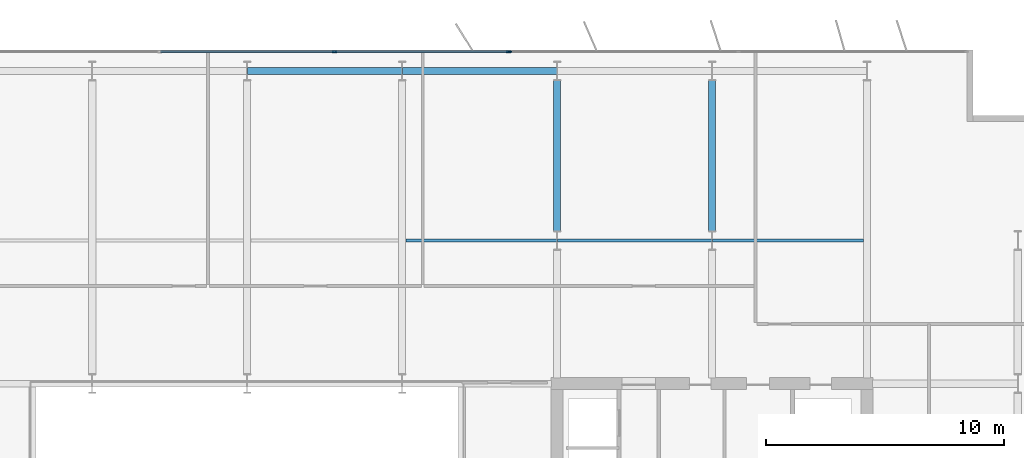
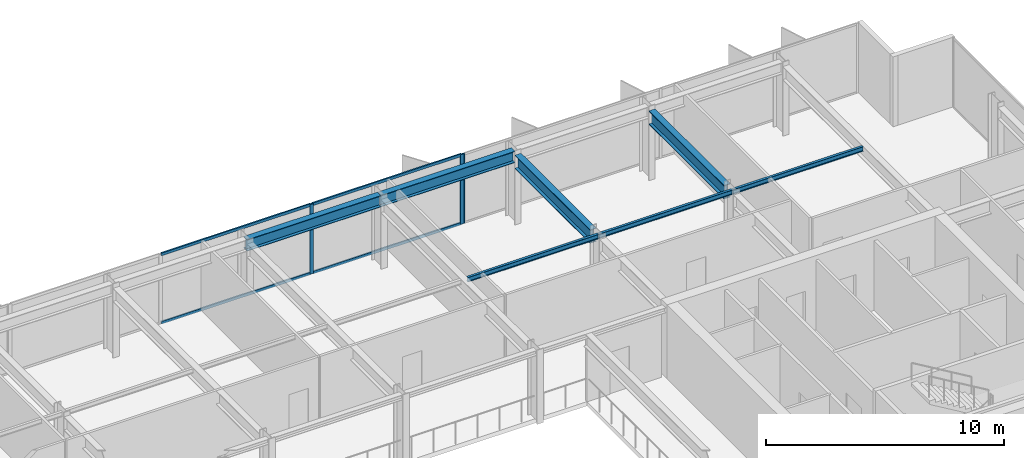
# One storey, part 12 of 24: 7 beams, 7 members, 2 elements without a shape of their own.
"""IFC4 building model written with IfcOpenShell, lengths in metres."""

from ifc_helpers import new_model, si_unit, direction, frame, origin, origin_2d, place, context, subcontext, project, spatial, rectangle, i_section, extrude, material, layer, layer_set, material_profile, profile_set, type_object, element, aggregate, save


model = new_model("IFC4")

# Units and contexts
model_context = context("Model", 3, precision=1e-05, world=origin(), true_north=direction((0.0, 1.0)))
body_context = subcontext(model_context, "Body", "Model", "MODEL_VIEW")
ifc_project = project(units=[si_unit("LENGTHUNIT", "METRE"), si_unit("AREAUNIT", "SQUARE_METRE"), si_unit("VOLUMEUNIT", "CUBIC_METRE"), si_unit("PLANEANGLEUNIT", "RADIAN"), si_unit("MASSUNIT", "GRAM", prefix="KILO")], contexts=[model_context])

# Site, building, storey
site_placement = place(None, origin())
site = spatial("IfcSite", under=ifc_project, at=site_placement, CompositionType="ELEMENT")
building_placement = place(site_placement, origin())
building = spatial("IfcBuilding", under=site, at=building_placement, Name="Putna Gate Headquarters", CompositionType="ELEMENT")
storey_placement = place(building_placement, frame((0.0, 0.0, 244.199951171875)))
storey = spatial("IfcBuildingStorey", under=building, at=storey_placement, Name="L61", CompositionType="ELEMENT", Elevation=244.199951171875)

# Beams
ifc_material_1 = material(Name="Steel S355J2", Category="steel")
ifc_material_profile_1 = material_profile(ifc_material_1, i_section(OverallWidth=0.300048828125, OverallDepth=0.699951171875, WebThickness=0.01708984375, FlangeThickness=0.031982421875, at=origin_2d()), Name="Steel S355J2")
ifc_profile_set_1 = profile_set([ifc_material_profile_1], Name="Steel S355J2")
beam_type_1 = type_object("IfcBeamType", Name="BM-GIRD-B-HEB700", PredefinedType="USERDEFINED", material=ifc_profile_set_1)
for number, where, z_axis, x_axis, name in (
    (1, (52.0, 39.39501953125, 3.22998046875), (0.0, 1.0, 0.0), (-1.0, 0.0, 0.0), "L61 North Primary Girder X52-2"),
    (2, (58.5, 39.39501953125, 3.22998046875), (0.0, 1.0, 0.0), (-1.0, 0.0, 0.0), "L61 North Primary Girder X58-2"),
):
    element("IfcBeam", number, at=place(storey_placement, frame(where, z_axis=z_axis, x_axis=x_axis)), inside=storey, type_object=beam_type_1, Name=name, ObjectType="GIRDER", PredefinedType="USERDEFINED", context=body_context, shape_type="SweptSolid", body=[
        extrude(i_section(OverallWidth=0.300048828125, OverallDepth=0.699951171875, WebThickness=0.01708984375, FlangeThickness=0.031982421875, at=origin_2d()), origin(), (0.0, 0.0, 1.0), 6.330078125),
    ])
ifc_material_profile_2 = material_profile(ifc_material_1, i_section(OverallWidth=0.1201171875, OverallDepth=0.239990234375, WebThickness=0.006103515625, FlangeThickness=0.009765625, at=origin_2d()), Name="Steel S355J2")
ifc_profile_set_2 = profile_set([ifc_material_profile_2], Name="Steel S355J2")
beam_type_2 = type_object("IfcBeamType", Name="BM-SEC-Z4-IPE240", PredefinedType="JOIST", material=ifc_profile_set_2)
beam_1_placement = place(storey_placement, frame((45.654052734375, 39.0, 3.4599609375), z_axis=(1.0, 0.0, 0.0), x_axis=(0.0, 1.0, 0.0)))
element("IfcBeam", 3, at=beam_1_placement, inside=storey, type_object=beam_type_2, Name="L61 North Secondary Beam 6", PredefinedType="JOIST", context=body_context, shape_type="SweptSolid", body=[
    extrude(i_section(OverallWidth=0.1201171875, OverallDepth=0.239990234375, WebThickness=0.006103515625, FlangeThickness=0.009765625, at=origin_2d()), origin(), (0.0, 0.0, 1.0), 6.33984375),
])
beam_2_placement = place(storey_placement, frame((52.006103515625, 39.0, 3.4599609375), z_axis=(1.0, 0.0, 0.0), x_axis=(0.0, 1.0, 0.0)))
element("IfcBeam", 4, at=beam_2_placement, inside=storey, type_object=beam_type_2, Name="L61 North Secondary Beam 7", PredefinedType="JOIST", context=body_context, shape_type="SweptSolid", body=[
    extrude(i_section(OverallWidth=0.1201171875, OverallDepth=0.239990234375, WebThickness=0.006103515625, FlangeThickness=0.009765625, at=origin_2d()), origin(), (0.0, 0.0, 1.0), 6.48779296875),
])
beam_3_placement = place(storey_placement, frame((58.506103515625, 39.0, 3.4599609375), z_axis=(1.0, 0.0, 0.0), x_axis=(0.0, 1.0, 0.0)))
element("IfcBeam", 5, at=beam_3_placement, inside=storey, type_object=beam_type_2, Name="L61 North Secondary Beam 8", PredefinedType="JOIST", context=body_context, shape_type="SweptSolid", body=[
    extrude(i_section(OverallWidth=0.1201171875, OverallDepth=0.239990234375, WebThickness=0.006103515625, FlangeThickness=0.009765625, at=origin_2d()), origin(), (0.0, 0.0, 1.0), 6.33984375),
])
ifc_material_profile_3 = material_profile(ifc_material_1, i_section(OverallWidth=0.300048828125, OverallDepth=0.590087890625, WebThickness=0.012939453125, FlangeThickness=0.02490234375, at=origin_2d()), Name="Steel S355J2")
ifc_profile_set_3 = profile_set([ifc_material_profile_3], Name="Steel S355J2")
beam_type_3 = type_object("IfcBeamType", Name="BM-SPAN-Z4-HEA600", PredefinedType="SPANDREL", material=ifc_profile_set_3)
for number, where, z_axis, x_axis, name in (
    (6, (39.006103515625, 46.1201171875, 3.28515625), (1.0, 0.0, 0.0), (0.0, 1.0, 0.0), "L61 N Perimeter Spandrel 5"),
    (7, (45.506103515625, 46.1201171875, 3.28515625), (1.0, 0.0, 0.0), (0.0, 1.0, 0.0), "L61 N Perimeter Spandrel 6"),
):
    element("IfcBeam", number, at=place(storey_placement, frame(where, z_axis=z_axis, x_axis=x_axis)), inside=storey, type_object=beam_type_3, Name=name, PredefinedType="SPANDREL", context=body_context, shape_type="SweptSolid", body=[
        extrude(i_section(OverallWidth=0.300048828125, OverallDepth=0.590087890625, WebThickness=0.012939453125, FlangeThickness=0.02490234375, at=origin_2d()), origin(), (0.0, 0.0, 1.0), 6.48779296875),
    ])

# Curtain wall, member
ifc_material_2 = material(Name="Anodised bronze aluminium curtain wall", Category="aluminium")
ifc_layer_1 = layer(ifc_material_2, 0.139892578125)
ifc_layer_set_1 = layer_set([ifc_layer_1], Name="Anodised bronze aluminium curtain wall")
curtain_wall_type_1 = type_object("IfcCurtainWallType", Name="CW-SYS-Z4", PredefinedType="USERDEFINED", material=ifc_layer_set_1)
curtain_wall_1_placement = place(storey_placement, origin())
curtain_wall_1 = element("IfcCurtainWall", 8, at=curtain_wall_1_placement, inside=storey, type_object=curtain_wall_type_1, Name="L61 North East Curtain Wall", ObjectType="STICK CURTAIN WALL", PredefinedType="USERDEFINED")
ifc_material_3 = material(Name="Anodised bronze aluminium EN AW-6060", Category="aluminium")
ifc_material_profile_4 = material_profile(ifc_material_3, rectangle(XDim=0.06005859375, YDim=0.139892578125, at=origin_2d()), Name="Anodised bronze aluminium EN AW-6060")
ifc_profile_set_4 = profile_set([ifc_material_profile_4], Name="Anodised bronze aluminium EN AW-6060")
member_type_1 = type_object("IfcMemberType", Name="MULL-CWM-4", PredefinedType="MULLION", material=ifc_profile_set_4)
member_1_placement = place(storey_placement, frame((50.030029296875, 46.919921875, 0.0), z_axis=(0.0, 0.0, 1.0), x_axis=(0.0, 1.0, 0.0)))
member_1 = element("IfcMember", 9, at=member_1_placement, type_object=member_type_1, Name="CWS-4 mullion 1", PredefinedType="MULLION", context=body_context, shape_type="SweptSolid", body=[
    extrude(rectangle(XDim=0.06005859375, YDim=0.139892578125, at=origin_2d()), origin(), (0.0, 0.0, 1.0), 3.580078125),
])
aggregate(curtain_wall_1, [member_1])

# Curtain wall, members
ifc_layer_2 = layer(ifc_material_2, 0.179931640625)
ifc_layer_set_2 = layer_set([ifc_layer_2], Name="Anodised bronze aluminium curtain wall")
curtain_wall_type_2 = type_object("IfcCurtainWallType", Name="CW-SYS-ATR", PredefinedType="USERDEFINED", material=ifc_layer_set_2)
curtain_wall_2_placement = place(storey_placement, origin())
curtain_wall_2 = element("IfcCurtainWall", 10, at=curtain_wall_2_placement, inside=storey, type_object=curtain_wall_type_2, Name="L61 North Atrium Clear Glazing", ObjectType="ATRIUM GLAZING", PredefinedType="USERDEFINED")
ifc_material_profile_5 = material_profile(ifc_material_3, rectangle(XDim=0.070068359375, YDim=0.179931640625, at=origin_2d()), Name="Anodised bronze aluminium EN AW-6060")
ifc_profile_set_5 = profile_set([ifc_material_profile_5], Name="Anodised bronze aluminium EN AW-6060")
member_type_2 = type_object("IfcMemberType", Name="MULL-CWM-AT", PredefinedType="MULLION", material=ifc_profile_set_5)
member_2_placement = place(storey_placement, frame((42.666748046875, 46.919921875, 0.0), z_axis=(0.0, 0.0, 1.0), x_axis=(0.0, 1.0, 0.0)))
member_2 = element("IfcMember", 11, at=member_2_placement, type_object=member_type_2, Name="CWS-AT mullion 3", PredefinedType="MULLION", context=body_context, shape_type="SweptSolid", body=[
    extrude(rectangle(XDim=0.070068359375, YDim=0.179931640625, at=origin_2d()), origin(), (0.0, 0.0, 1.0), 3.580078125),
])
member_3_placement = place(storey_placement, frame((49.965087890625, 46.919921875, 0.0), z_axis=(0.0, 0.0, 1.0), x_axis=(0.0, 1.0, 0.0)))
member_3 = element("IfcMember", 12, at=member_3_placement, type_object=member_type_2, Name="CWS-AT mullion 4", PredefinedType="MULLION", context=body_context, shape_type="SweptSolid", body=[
    extrude(rectangle(XDim=0.070068359375, YDim=0.179931640625, at=origin_2d()), origin(), (0.0, 0.0, 1.0), 3.580078125),
])
ifc_material_profile_6 = material_profile(ifc_material_3, rectangle(XDim=0.070068359375, YDim=0.139892578125, at=origin_2d()), Name="Anodised bronze aluminium EN AW-6060")
ifc_profile_set_6 = profile_set([ifc_material_profile_6], Name="Anodised bronze aluminium EN AW-6060")
member_type_3 = type_object("IfcMemberType", Name="TRAN-CWT-AT", PredefinedType="USERDEFINED", material=ifc_profile_set_6)
member_4_placement = place(storey_placement, frame((35.368408203125, 46.919921875, 0.03515625), z_axis=(1.0, 0.0, 0.0), x_axis=(0.0, 1.0, 0.0)))
member_4 = element("IfcMember", 13, at=member_4_placement, type_object=member_type_3, Name="CWS-AT transom 2.1", ObjectType="TRANSOM", PredefinedType="USERDEFINED", context=body_context, shape_type="SweptSolid", body=[
    extrude(rectangle(XDim=0.070068359375, YDim=0.139892578125, at=origin_2d()), origin(), (0.0, 0.0, 1.0), 7.26318359375),
])
member_5_placement = place(storey_placement, frame((35.368408203125, 46.919921875, 3.545166015625), z_axis=(1.0, 0.0, 0.0), x_axis=(0.0, 1.0, 0.0)))
member_5 = element("IfcMember", 14, at=member_5_placement, type_object=member_type_3, Name="CWS-AT transom 2.2", ObjectType="TRANSOM", PredefinedType="USERDEFINED", context=body_context, shape_type="SweptSolid", body=[
    extrude(rectangle(XDim=0.070068359375, YDim=0.139892578125, at=origin_2d()), origin(), (0.0, 0.0, 1.0), 7.26318359375),
])
member_6_placement = place(storey_placement, frame((42.70166015625, 46.919921875, 0.03515625), z_axis=(1.0, 0.0, 0.0), x_axis=(0.0, 1.0, 0.0)))
member_6 = element("IfcMember", 15, at=member_6_placement, type_object=member_type_3, Name="CWS-AT transom 3.1", ObjectType="TRANSOM", PredefinedType="USERDEFINED", context=body_context, shape_type="SweptSolid", body=[
    extrude(rectangle(XDim=0.070068359375, YDim=0.139892578125, at=origin_2d()), origin(), (0.0, 0.0, 1.0), 7.228271484375),
])
member_7_placement = place(storey_placement, frame((42.70166015625, 46.919921875, 3.545166015625), z_axis=(1.0, 0.0, 0.0), x_axis=(0.0, 1.0, 0.0)))
member_7 = element("IfcMember", 16, at=member_7_placement, type_object=member_type_3, Name="CWS-AT transom 3.2", ObjectType="TRANSOM", PredefinedType="USERDEFINED", context=body_context, shape_type="SweptSolid", body=[
    extrude(rectangle(XDim=0.070068359375, YDim=0.139892578125, at=origin_2d()), origin(), (0.0, 0.0, 1.0), 7.228271484375),
])
aggregate(curtain_wall_2, [member_2, member_3, member_4, member_5, member_6, member_7])

save(model, "model.ifc")
